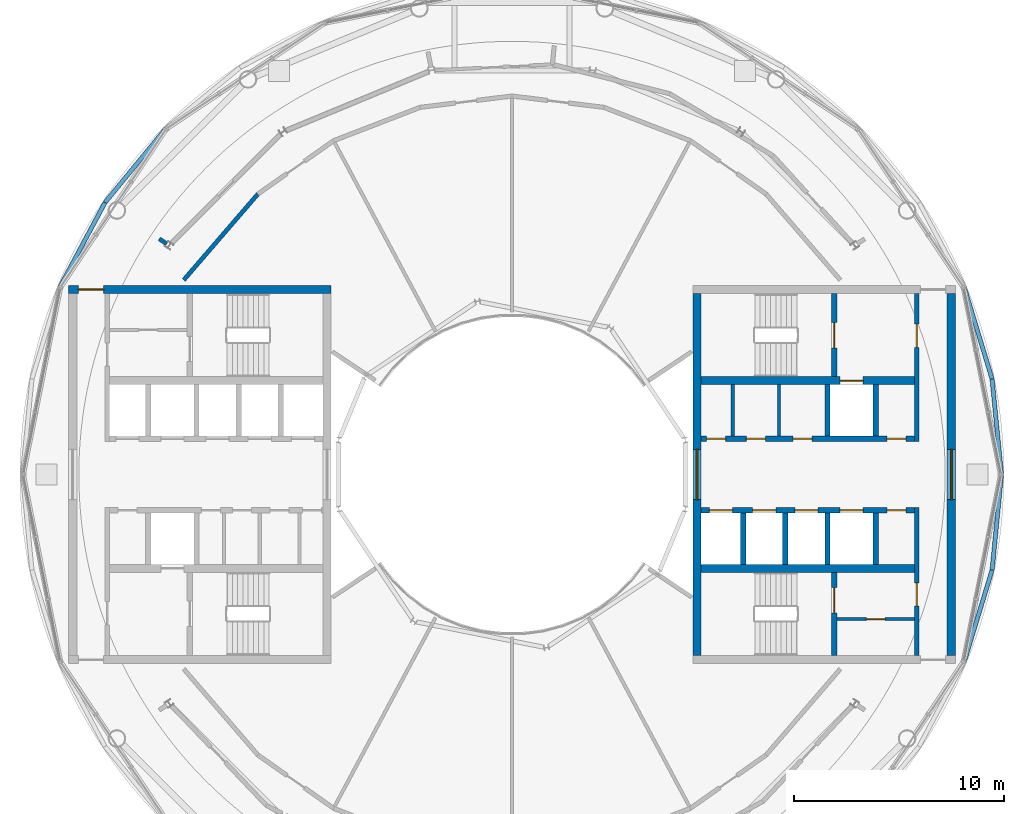
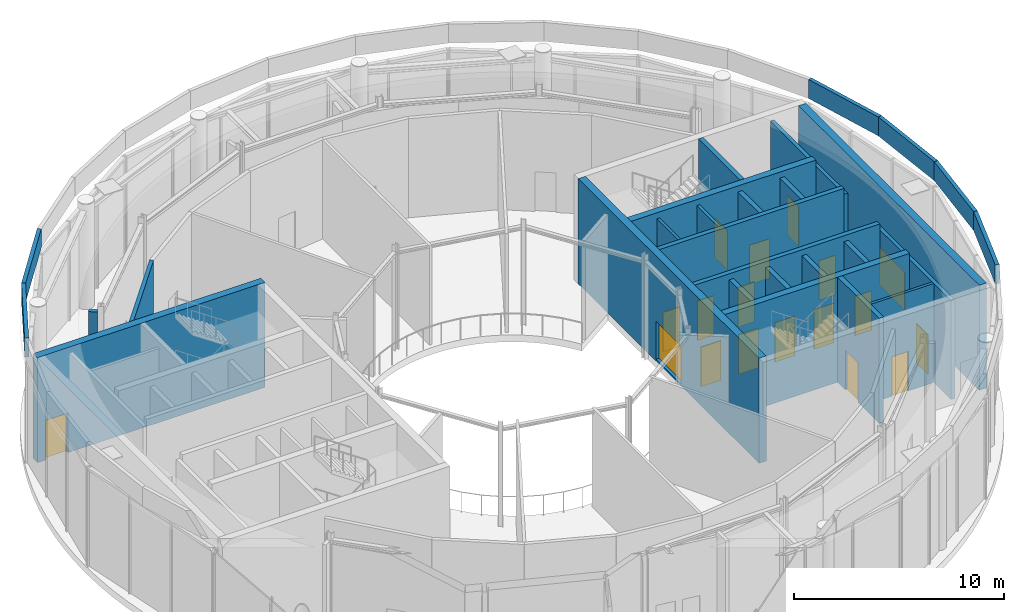
# One storey, part 13 of 20: 28 walls, 16 doors, 2 windows, 18 openings.
"""IFC4 building model written with IfcOpenShell, lengths in metres."""

from ifc_helpers import new_model, si_unit, direction, frame, frame_2d, origin, place, context, subcontext, project, spatial, rectangle, extrude, material, layer, layer_set, type_object, element, fill, save


model = new_model("IFC4")

# Units and contexts
model_context = context("Model", 3, precision=1e-05, world=origin(), true_north=direction((0.0, 1.0)))
body_context = subcontext(model_context, "Body", "Model", "MODEL_VIEW")
ifc_project = project(units=[si_unit("LENGTHUNIT", "METRE"), si_unit("AREAUNIT", "SQUARE_METRE"), si_unit("VOLUMEUNIT", "CUBIC_METRE"), si_unit("PLANEANGLEUNIT", "RADIAN"), si_unit("MASSUNIT", "GRAM", prefix="KILO")], contexts=[model_context])

# Site, building, storey
site_placement = place(None, origin())
site = spatial("IfcSite", under=ifc_project, at=site_placement, CompositionType="ELEMENT")
building_placement = place(site_placement, origin())
building = spatial("IfcBuilding", under=site, at=building_placement, Name="Maasbend Ring Residences", CompositionType="ELEMENT")
storey_placement = place(building_placement, frame((0.0, 0.0, 255.39990234375)))
storey = spatial("IfcBuildingStorey", under=building, at=storey_placement, Name="L74", CompositionType="ELEMENT", Elevation=255.39990234375)

# Wall, openings, doors
ifc_material_1 = material(Name="Concrete C50/60", Category="concrete")
ifc_layer_1 = layer(ifc_material_1, 0.25)
ifc_layer_set_1 = layer_set([ifc_layer_1], Name="Concrete C50/60")
wall_type_1 = type_object("IfcWallType", Name="CORE WALL 250 C50/60", PredefinedType="SHEAR", material=ifc_layer_set_1)
wall_1_placement = place(storey_placement, frame((9.0, 1.699951171875, 0.0), z_axis=(0.0, 0.0, 1.0), x_axis=(1.0, 0.0, 0.0)))
wall_1 = element("IfcWall", 1, at=wall_1_placement, inside=storey, type_object=wall_type_1, Name="L74 core E wall SPN", PredefinedType="SHEAR", context=body_context, shape_type="SweptSolid", body=[
    extrude(rectangle(XDim=10.14990234375, YDim=0.25, at=frame_2d((5.074951171875, 0.0))), origin(), (0.0, 0.0, 1.0), 6.10009765625),
])
opening_1_placement = place(wall_1_placement, frame((0.262451171875, 0.0, 0.0)))
opening_1 = element("IfcOpeningElement", 2, at=opening_1_placement, cuts=wall_1, Name="Opening D-E7406", PredefinedType="OPENING", context=body_context, shape_type="SweptSolid", body=[
    extrude(rectangle(XDim=0.89990234375, YDim=2.300048828125, at=frame_2d((0.449951171875, 1.14990234375))), frame((0.0, 0.135009765625, 0.0), z_axis=(0.0, -1.0, 0.0), x_axis=(1.0, 0.0, 0.0)), (0.0, 0.0, 1.0), 0.27001953125),
])
opening_2_placement = place(wall_1_placement, frame((2.14990234375, 0.0, 0.0)))
opening_2 = element("IfcOpeningElement", 3, at=opening_2_placement, cuts=wall_1, Name="Opening D-E7407", PredefinedType="OPENING", context=body_context, shape_type="SweptSolid", body=[
    extrude(rectangle(XDim=0.89990234375, YDim=2.300048828125, at=frame_2d((0.449951171875, 1.14990234375))), frame((0.0, 0.135009765625, 0.0), z_axis=(0.0, -1.0, 0.0), x_axis=(1.0, 0.0, 0.0)), (0.0, 0.0, 1.0), 0.27001953125),
])
opening_3_placement = place(wall_1_placement, frame((4.375, 0.0, 0.0)))
opening_3 = element("IfcOpeningElement", 4, at=opening_3_placement, cuts=wall_1, Name="Opening D-E7408", PredefinedType="OPENING", context=body_context, shape_type="SweptSolid", body=[
    extrude(rectangle(XDim=0.89990234375, YDim=2.300048828125, at=frame_2d((0.449951171875, 1.14990234375))), frame((0.0, 0.135009765625, 0.0), z_axis=(0.0, -1.0, 0.0), x_axis=(1.0, 0.0, 0.0)), (0.0, 0.0, 1.0), 0.27001953125),
])
opening_4_placement = place(wall_1_placement, frame((8.83740234375, 0.0, 0.0)))
opening_4 = element("IfcOpeningElement", 5, at=opening_4_placement, cuts=wall_1, Name="Opening D-E7409", PredefinedType="OPENING", context=body_context, shape_type="SweptSolid", body=[
    extrude(rectangle(XDim=0.89990234375, YDim=2.300048828125, at=frame_2d((0.449951171875, 1.14990234375))), frame((0.0, 0.135009765625, 0.0), z_axis=(0.0, -1.0, 0.0), x_axis=(1.0, 0.0, 0.0)), (0.0, 0.0, 1.0), 0.27001953125),
])
ifc_material_2 = material(Name="Steel, powder coated", Category="steel")
door_type_1 = type_object("IfcDoorType", Name="ROOM DOOR 900 X 2300 FD30S", OperationType="NOTDEFINED", PredefinedType="DOOR", material=ifc_material_2)
door_1_placement = place(opening_1_placement, origin())
door_1 = element("IfcDoor", 6, at=door_1_placement, inside=storey, type_object=door_type_1, Name="Room door L74", OperationType="SINGLE_SWING_RIGHT", OverallHeight=2.300048828125, OverallWidth=0.89990234375, PredefinedType="DOOR", context=body_context, shape_type="SweptSolid", body=[
    extrude(rectangle(XDim=0.89990234375, YDim=2.300048828125, at=frame_2d((0.449951171875, 1.14990234375))), frame((0.0, 0.02490234375, 0.0), z_axis=(0.0, -1.0, 0.0), x_axis=(1.0, 0.0, 0.0)), (0.0, 0.0, 1.0), 0.050048828125),
])
fill(opening_1, door_1)
door_2_placement = place(opening_2_placement, origin())
door_2 = element("IfcDoor", 7, at=door_2_placement, inside=storey, type_object=door_type_1, Name="Room door L74", OperationType="SINGLE_SWING_RIGHT", OverallHeight=2.300048828125, OverallWidth=0.89990234375, PredefinedType="DOOR", context=body_context, shape_type="SweptSolid", body=[
    extrude(rectangle(XDim=0.89990234375, YDim=2.300048828125, at=frame_2d((0.449951171875, 1.14990234375))), frame((0.0, 0.02490234375, 0.0), z_axis=(0.0, -1.0, 0.0), x_axis=(1.0, 0.0, 0.0)), (0.0, 0.0, 1.0), 0.050048828125),
])
fill(opening_2, door_2)
door_3_placement = place(opening_3_placement, origin())
door_3 = element("IfcDoor", 8, at=door_3_placement, inside=storey, type_object=door_type_1, Name="Room door L74", OperationType="SINGLE_SWING_RIGHT", OverallHeight=2.300048828125, OverallWidth=0.89990234375, PredefinedType="DOOR", context=body_context, shape_type="SweptSolid", body=[
    extrude(rectangle(XDim=0.89990234375, YDim=2.300048828125, at=frame_2d((0.449951171875, 1.14990234375))), frame((0.0, 0.02490234375, 0.0), z_axis=(0.0, -1.0, 0.0), x_axis=(1.0, 0.0, 0.0)), (0.0, 0.0, 1.0), 0.050048828125),
])
fill(opening_3, door_3)
door_4_placement = place(opening_4_placement, origin())
door_4 = element("IfcDoor", 9, at=door_4_placement, inside=storey, type_object=door_type_1, Name="Room door L74", OperationType="SINGLE_SWING_LEFT", OverallHeight=2.300048828125, OverallWidth=0.89990234375, PredefinedType="DOOR", context=body_context, shape_type="SweptSolid", body=[
    extrude(rectangle(XDim=0.89990234375, YDim=2.300048828125, at=frame_2d((0.449951171875, 1.14990234375))), frame((0.0, 0.02490234375, 0.0), z_axis=(0.0, -1.0, 0.0), x_axis=(1.0, 0.0, 0.0)), (0.0, 0.0, 1.0), 0.050048828125),
])
fill(opening_4, door_4)

# Wall, opening, door
wall_2_placement = place(storey_placement, frame((15.324951171875, 4.64990234375, 0.0), z_axis=(0.0, 0.0, 1.0), x_axis=(0.0, 1.0, 0.0)))
wall_2 = element("IfcWall", 10, at=wall_2_placement, inside=storey, type_object=wall_type_1, Name="L74 core E wall STEN", PredefinedType="SHEAR", context=body_context, shape_type="SweptSolid", body=[
    extrude(rectangle(XDim=3.9501953125, YDim=0.25, at=frame_2d((1.97509765625, 0.0))), origin(), (0.0, 0.0, 1.0), 6.10009765625),
])
opening_5_placement = place(wall_2_placement, frame((1.375, 0.0, 0.0)))
opening_5 = element("IfcOpeningElement", 11, at=opening_5_placement, cuts=wall_2, Name="Opening D-E7412", PredefinedType="OPENING", context=body_context, shape_type="SweptSolid", body=[
    extrude(rectangle(XDim=1.199951171875, YDim=2.300048828125, at=frame_2d((0.60009765625, 1.14990234375))), frame((0.0, 0.135009765625, 0.0), z_axis=(0.0, -1.0, 0.0), x_axis=(1.0, 0.0, 0.0)), (0.0, 0.0, 1.0), 0.27001953125),
])
ifc_material_3 = material(Name="Steel, powder coated", Category="steel")
door_type_2 = type_object("IfcDoorType", Name="STAIR DOOR 1200 X 2300 FD60", OperationType="NOTDEFINED", PredefinedType="DOOR", material=ifc_material_3)
door_5_placement = place(opening_5_placement, origin())
door_5 = element("IfcDoor", 12, at=door_5_placement, inside=storey, type_object=door_type_2, Name="Stair door ST-E L74", OperationType="SINGLE_SWING_LEFT", OverallHeight=2.300048828125, OverallWidth=1.199951171875, PredefinedType="DOOR", context=body_context, shape_type="SweptSolid", body=[
    extrude(rectangle(XDim=1.199951171875, YDim=2.300048828125, at=frame_2d((0.60009765625, 1.14990234375))), frame((0.0, 0.02490234375, 0.0), z_axis=(0.0, -1.0, 0.0), x_axis=(1.0, 0.0, 0.0)), (0.0, 0.0, 1.0), 0.050048828125),
])
fill(opening_5, door_5)

# Wall, openings, doors
wall_3_placement = place(storey_placement, frame((19.14990234375, -1.699951171875, 0.0), z_axis=(0.0, 0.0, 1.0), x_axis=(-1.0, 0.0, 0.0)))
wall_3 = element("IfcWall", 13, at=wall_3_placement, inside=storey, type_object=wall_type_1, Name="L74 core E wall SPS", PredefinedType="SHEAR", context=body_context, shape_type="SweptSolid", body=[
    extrude(rectangle(XDim=10.14990234375, YDim=0.25, at=frame_2d((5.074951171875, 0.0))), origin(), (0.0, 0.0, 1.0), 6.10009765625),
])
opening_6_placement = place(wall_3_placement, frame((8.66259765625, 0.0, 0.0)))
opening_6 = element("IfcOpeningElement", 14, at=opening_6_placement, cuts=wall_3, Name="Opening LD-E7402", PredefinedType="OPENING", context=body_context, shape_type="SweptSolid", body=[
    extrude(rectangle(XDim=1.10009765625, YDim=2.300048828125, at=frame_2d((0.550048828125, 1.14990234375))), frame((0.0, 0.135009765625, 0.0), z_axis=(0.0, -1.0, 0.0), x_axis=(1.0, 0.0, 0.0)), (0.0, 0.0, 1.0), 0.27001953125),
])
opening_7_placement = place(wall_3_placement, frame((6.60009765625, 0.0, 0.0)))
opening_7 = element("IfcOpeningElement", 15, at=opening_7_placement, cuts=wall_3, Name="Opening LD-E7403", PredefinedType="OPENING", context=body_context, shape_type="SweptSolid", body=[
    extrude(rectangle(XDim=1.10009765625, YDim=2.300048828125, at=frame_2d((0.550048828125, 1.14990234375))), frame((0.0, 0.135009765625, 0.0), z_axis=(0.0, -1.0, 0.0), x_axis=(1.0, 0.0, 0.0)), (0.0, 0.0, 1.0), 0.27001953125),
])
opening_8_placement = place(wall_3_placement, frame((4.60009765625, 0.0, 0.0)))
opening_8 = element("IfcOpeningElement", 16, at=opening_8_placement, cuts=wall_3, Name="Opening LD-E7404", PredefinedType="OPENING", context=body_context, shape_type="SweptSolid", body=[
    extrude(rectangle(XDim=1.10009765625, YDim=2.300048828125, at=frame_2d((0.550048828125, 1.14990234375))), frame((0.0, 0.135009765625, 0.0), z_axis=(0.0, -1.0, 0.0), x_axis=(1.0, 0.0, 0.0)), (0.0, 0.0, 1.0), 0.27001953125),
])
opening_9_placement = place(wall_3_placement, frame((2.449951171875, 0.0, 0.0)))
opening_9 = element("IfcOpeningElement", 17, at=opening_9_placement, cuts=wall_3, Name="Opening LD-E7405", PredefinedType="OPENING", context=body_context, shape_type="SweptSolid", body=[
    extrude(rectangle(XDim=1.10009765625, YDim=2.300048828125, at=frame_2d((0.550048828125, 1.14990234375))), frame((0.0, 0.135009765625, 0.0), z_axis=(0.0, -1.0, 0.0), x_axis=(1.0, 0.0, 0.0)), (0.0, 0.0, 1.0), 0.27001953125),
])
opening_10_placement = place(wall_3_placement, frame((0.41259765625, 0.0, 0.0)))
opening_10 = element("IfcOpeningElement", 18, at=opening_10_placement, cuts=wall_3, Name="Opening D-E7410", PredefinedType="OPENING", context=body_context, shape_type="SweptSolid", body=[
    extrude(rectangle(XDim=0.89990234375, YDim=2.300048828125, at=frame_2d((0.449951171875, 1.14990234375))), frame((0.0, 0.135009765625, 0.0), z_axis=(0.0, -1.0, 0.0), x_axis=(1.0, 0.0, 0.0)), (0.0, 0.0, 1.0), 0.27001953125),
])
ifc_material_4 = material(Name="Stainless steel 316", Category="steel")
door_type_3 = type_object("IfcDoorType", Name="LANDING DOOR 1100 X 2300 FD60", OperationType="DOUBLE_DOOR_SLIDING", PredefinedType="DOOR", material=ifc_material_4)
door_6_placement = place(opening_6_placement, origin())
door_6 = element("IfcDoor", 19, at=door_6_placement, inside=storey, type_object=door_type_3, Name="Landing door HR-E1 L74", OperationType="DOUBLE_DOOR_SLIDING", OverallHeight=2.300048828125, OverallWidth=1.10009765625, PredefinedType="DOOR", context=body_context, shape_type="SweptSolid", body=[
    extrude(rectangle(XDim=1.10009765625, YDim=2.300048828125, at=frame_2d((0.550048828125, 1.14990234375))), frame((0.0, 0.02490234375, 0.0), z_axis=(0.0, -1.0, 0.0), x_axis=(1.0, 0.0, 0.0)), (0.0, 0.0, 1.0), 0.050048828125),
])
fill(opening_6, door_6)
door_7_placement = place(opening_7_placement, origin())
door_7 = element("IfcDoor", 20, at=door_7_placement, inside=storey, type_object=door_type_3, Name="Landing door HR-E2 L74", OperationType="DOUBLE_DOOR_SLIDING", OverallHeight=2.300048828125, OverallWidth=1.10009765625, PredefinedType="DOOR", context=body_context, shape_type="SweptSolid", body=[
    extrude(rectangle(XDim=1.10009765625, YDim=2.300048828125, at=frame_2d((0.550048828125, 1.14990234375))), frame((0.0, 0.02490234375, 0.0), z_axis=(0.0, -1.0, 0.0), x_axis=(1.0, 0.0, 0.0)), (0.0, 0.0, 1.0), 0.050048828125),
])
fill(opening_7, door_7)
door_8_placement = place(opening_8_placement, origin())
door_8 = element("IfcDoor", 21, at=door_8_placement, inside=storey, type_object=door_type_3, Name="Landing door HR-E3 L74", OperationType="DOUBLE_DOOR_SLIDING", OverallHeight=2.300048828125, OverallWidth=1.10009765625, PredefinedType="DOOR", context=body_context, shape_type="SweptSolid", body=[
    extrude(rectangle(XDim=1.10009765625, YDim=2.300048828125, at=frame_2d((0.550048828125, 1.14990234375))), frame((0.0, 0.02490234375, 0.0), z_axis=(0.0, -1.0, 0.0), x_axis=(1.0, 0.0, 0.0)), (0.0, 0.0, 1.0), 0.050048828125),
])
fill(opening_8, door_8)
door_9_placement = place(opening_9_placement, origin())
door_9 = element("IfcDoor", 22, at=door_9_placement, inside=storey, type_object=door_type_3, Name="Landing door SV-E L74", OperationType="DOUBLE_DOOR_SLIDING", OverallHeight=2.300048828125, OverallWidth=1.10009765625, PredefinedType="DOOR", context=body_context, shape_type="SweptSolid", body=[
    extrude(rectangle(XDim=1.10009765625, YDim=2.300048828125, at=frame_2d((0.550048828125, 1.14990234375))), frame((0.0, 0.02490234375, 0.0), z_axis=(0.0, -1.0, 0.0), x_axis=(1.0, 0.0, 0.0)), (0.0, 0.0, 1.0), 0.050048828125),
])
fill(opening_9, door_9)
door_10_placement = place(opening_10_placement, origin())
door_10 = element("IfcDoor", 23, at=door_10_placement, inside=storey, type_object=door_type_1, Name="Room door L74", OperationType="SINGLE_SWING_RIGHT", OverallHeight=2.300048828125, OverallWidth=0.89990234375, PredefinedType="DOOR", context=body_context, shape_type="SweptSolid", body=[
    extrude(rectangle(XDim=0.89990234375, YDim=2.300048828125, at=frame_2d((0.449951171875, 1.14990234375))), frame((0.0, 0.02490234375, 0.0), z_axis=(0.0, -1.0, 0.0), x_axis=(1.0, 0.0, 0.0)), (0.0, 0.0, 1.0), 0.050048828125),
])
fill(opening_10, door_10)

# Wall, opening, door
wall_4_placement = place(storey_placement, frame((15.324951171875, -8.60009765625, 0.0), z_axis=(0.0, 0.0, 1.0), x_axis=(0.0, 1.0, 0.0)))
wall_4 = element("IfcWall", 24, at=wall_4_placement, inside=storey, type_object=wall_type_1, Name="L74 core E wall STES", PredefinedType="SHEAR", context=body_context, shape_type="SweptSolid", body=[
    extrude(rectangle(XDim=3.9501953125, YDim=0.25, at=frame_2d((1.97509765625, 0.0))), origin(), (0.0, 0.0, 1.0), 6.10009765625),
])
opening_11_placement = place(wall_4_placement, frame((2.02490234375, 0.0, 0.0)))
opening_11 = element("IfcOpeningElement", 25, at=opening_11_placement, cuts=wall_4, Name="Opening D-E7413", PredefinedType="OPENING", context=body_context, shape_type="SweptSolid", body=[
    extrude(rectangle(XDim=1.199951171875, YDim=2.300048828125, at=frame_2d((0.60009765625, 1.14990234375))), frame((0.0, 0.135009765625, 0.0), z_axis=(0.0, -1.0, 0.0), x_axis=(1.0, 0.0, 0.0)), (0.0, 0.0, 1.0), 0.27001953125),
])
door_11_placement = place(opening_11_placement, origin())
door_11 = element("IfcDoor", 26, at=door_11_placement, inside=storey, type_object=door_type_2, Name="Stair door ST-E L74", OperationType="SINGLE_SWING_LEFT", OverallHeight=2.300048828125, OverallWidth=1.199951171875, PredefinedType="DOOR", context=body_context, shape_type="SweptSolid", body=[
    extrude(rectangle(XDim=1.199951171875, YDim=2.300048828125, at=frame_2d((0.60009765625, 1.14990234375))), frame((0.0, 0.02490234375, 0.0), z_axis=(0.0, -1.0, 0.0), x_axis=(1.0, 0.0, 0.0)), (0.0, 0.0, 1.0), 0.050048828125),
])
fill(opening_11, door_11)

ifc_material_5 = material(Name="Concrete C50/60", Category="concrete")
ifc_layer_2 = layer(ifc_material_5, 0.375)
ifc_layer_set_2 = layer_set([ifc_layer_2], Name="Concrete C50/60")
wall_type_2 = type_object("IfcWallType", Name="CORE WALL 375 C50/60", PredefinedType="SHEAR", material=ifc_layer_set_2)
wall_5_placement = place(storey_placement, frame((9.0, 4.46240234375, 0.0), z_axis=(0.0, 0.0, 1.0), x_axis=(1.0, 0.0, 0.0)))
wall_5 = element("IfcWall", 27, at=wall_5_placement, inside=storey, type_object=wall_type_2, Name="L74 core E wall BN", PredefinedType="SHEAR", context=body_context, shape_type="SweptSolid", body=[
    extrude(rectangle(XDim=10.14990234375, YDim=0.375, at=frame_2d((5.074951171875, 0.0))), origin(), (0.0, 0.0, 1.0), 6.10009765625),
])
opening_12_placement = place(wall_5_placement, frame((6.60009765625, 0.0, 0.0)))
opening_12 = element("IfcOpeningElement", 28, at=opening_12_placement, cuts=wall_5, Name="Opening LD-E7401", PredefinedType="OPENING", context=body_context, shape_type="SweptSolid", body=[
    extrude(rectangle(XDim=1.10009765625, YDim=2.300048828125, at=frame_2d((0.550048828125, 1.14990234375))), frame((0.0, 0.197509765625, 0.0), z_axis=(0.0, -1.0, 0.0), x_axis=(1.0, 0.0, 0.0)), (0.0, 0.0, 1.0), 0.39501953125),
])
door_12_placement = place(opening_12_placement, origin())
door_12 = element("IfcDoor", 29, at=door_12_placement, inside=storey, type_object=door_type_3, Name="Landing door FF-E L74", OperationType="DOUBLE_DOOR_SLIDING", OverallHeight=2.300048828125, OverallWidth=1.10009765625, PredefinedType="DOOR", context=body_context, shape_type="SweptSolid", body=[
    extrude(rectangle(XDim=1.10009765625, YDim=2.300048828125, at=frame_2d((0.550048828125, 1.14990234375))), frame((0.0, 0.02490234375, 0.0), z_axis=(0.0, -1.0, 0.0), x_axis=(1.0, 0.0, 0.0)), (0.0, 0.0, 1.0), 0.050048828125),
])
fill(opening_12, door_12)

# Wall
wall_6_placement = place(storey_placement, frame((9.0, -4.46240234375, 0.0), z_axis=(0.0, 0.0, 1.0), x_axis=(1.0, 0.0, 0.0)))
element("IfcWall", 30, at=wall_6_placement, inside=storey, type_object=wall_type_2, Name="L74 core E wall BS", PredefinedType="SHEAR", context=body_context, shape_type="SweptSolid", body=[
    extrude(rectangle(XDim=10.14990234375, YDim=0.375, at=frame_2d((5.074951171875, 0.0))), origin(), (0.0, 0.0, 1.0), 6.10009765625),
])

# Wall, opening, window
ifc_material_6 = material(Name="Concrete C50/60", Category="concrete")
ifc_layer_3 = layer(ifc_material_6, 0.39990234375)
ifc_layer_set_3 = layer_set([ifc_layer_3], Name="Concrete C50/60")
wall_type_3 = type_object("IfcWallType", Name="CORE WALL 400 C50/60", PredefinedType="SHEAR", material=ifc_layer_set_3)
wall_7_placement = place(storey_placement, frame((20.89990234375, -8.60009765625, 0.0), z_axis=(0.0, 0.0, 1.0), x_axis=(0.0, 1.0, 0.0)))
wall_7 = element("IfcWall", 31, at=wall_7_placement, inside=storey, type_object=wall_type_3, Name="L74 core E wall POUT", PredefinedType="SHEAR", context=body_context, shape_type="SweptSolid", body=[
    extrude(rectangle(XDim=17.2001953125, YDim=0.39990234375, at=frame_2d((8.60009765625, 0.0))), origin(), (0.0, 0.0, 1.0), 6.10009765625),
])
opening_13_placement = place(wall_7_placement, frame((7.39990234375, 0.0, 0.10009765625)))
opening_13 = element("IfcOpeningElement", 32, at=opening_13_placement, cuts=wall_7, Name="Opening W-E7402", PredefinedType="OPENING", context=body_context, shape_type="SweptSolid", body=[
    extrude(rectangle(XDim=2.39990234375, YDim=2.199951171875, at=frame_2d((1.199951171875, 1.10009765625))), frame((0.0, 0.2099609375, 0.0), z_axis=(0.0, -1.0, 0.0), x_axis=(1.0, 0.0, 0.0)), (0.0, 0.0, 1.0), 0.419921875),
])
ifc_material_7 = material(Name="Aluminium frame and clear glass", Category="aluminium")
window_type = type_object("IfcWindowType", Name="FIXED WINDOW 2400 X 2200", PartitioningType="SINGLE_PANEL", PredefinedType="WINDOW", material=ifc_material_7)
window_1_placement = place(opening_13_placement, origin())
window_1 = element("IfcWindow", 33, at=window_1_placement, inside=storey, type_object=window_type, Name="Lobby window L74", OverallHeight=2.199951171875, OverallWidth=2.39990234375, PartitioningType="SINGLE_PANEL", PredefinedType="WINDOW", context=body_context, shape_type="SweptSolid", body=[
    extrude(rectangle(XDim=2.39990234375, YDim=2.199951171875, at=frame_2d((1.199951171875, 1.10009765625))), frame((0.0, 0.030029296875, 0.0), z_axis=(0.0, -1.0, 0.0), x_axis=(1.0, 0.0, 0.0)), (0.0, 0.0, 1.0), 0.06005859375),
])
fill(opening_13, window_1)

wall_8_placement = place(storey_placement, frame((8.800048828125, -8.60009765625, 0.0), z_axis=(0.0, 0.0, 1.0), x_axis=(0.0, 1.0, 0.0)))
wall_8 = element("IfcWall", 34, at=wall_8_placement, inside=storey, type_object=wall_type_3, Name="L74 core E wall PIN", PredefinedType="SHEAR", context=body_context, shape_type="SweptSolid", body=[
    extrude(rectangle(XDim=17.2001953125, YDim=0.39990234375, at=frame_2d((8.60009765625, 0.0))), origin(), (0.0, 0.0, 1.0), 6.10009765625),
])
opening_14_placement = place(wall_8_placement, frame((7.39990234375, 0.0, 0.10009765625)))
opening_14 = element("IfcOpeningElement", 35, at=opening_14_placement, cuts=wall_8, Name="Opening W-E7401", PredefinedType="OPENING", context=body_context, shape_type="SweptSolid", body=[
    extrude(rectangle(XDim=2.39990234375, YDim=2.199951171875, at=frame_2d((1.199951171875, 1.10009765625))), frame((0.0, 0.2099609375, 0.0), z_axis=(0.0, -1.0, 0.0), x_axis=(1.0, 0.0, 0.0)), (0.0, 0.0, 1.0), 0.419921875),
])
window_2_placement = place(opening_14_placement, origin())
window_2 = element("IfcWindow", 36, at=window_2_placement, inside=storey, type_object=window_type, Name="Lobby window L74", OverallHeight=2.199951171875, OverallWidth=2.39990234375, PartitioningType="SINGLE_PANEL", PredefinedType="WINDOW", context=body_context, shape_type="SweptSolid", body=[
    extrude(rectangle(XDim=2.39990234375, YDim=2.199951171875, at=frame_2d((1.199951171875, 1.10009765625))), frame((0.0, 0.030029296875, 0.0), z_axis=(0.0, -1.0, 0.0), x_axis=(1.0, 0.0, 0.0)), (0.0, 0.0, 1.0), 0.06005859375),
])
fill(opening_14, window_2)

# Wall, opening, door
wall_9_placement = place(storey_placement, frame((-8.60009765625, 8.800048828125, 0.0), z_axis=(0.0, 0.0, 1.0), x_axis=(-1.0, 0.0, 0.0)))
wall_9 = element("IfcWall", 37, at=wall_9_placement, inside=storey, type_object=wall_type_3, Name="L74 core W wall PS", PredefinedType="SHEAR", context=body_context, shape_type="SweptSolid", body=[
    extrude(rectangle(XDim=12.5, YDim=0.39990234375, at=frame_2d((6.25, 0.0))), origin(), (0.0, 0.0, 1.0), 6.10009765625),
])
opening_15_placement = place(wall_9_placement, frame((10.824951171875, 0.0, 0.0)))
opening_15 = element("IfcOpeningElement", 38, at=opening_15_placement, cuts=wall_9, Name="Opening D-W7418", PredefinedType="OPENING", context=body_context, shape_type="SweptSolid", body=[
    extrude(rectangle(XDim=1.199951171875, YDim=2.300048828125, at=frame_2d((0.60009765625, 1.14990234375))), frame((0.0, 0.2099609375, 0.0), z_axis=(0.0, -1.0, 0.0), x_axis=(1.0, 0.0, 0.0)), (0.0, 0.0, 1.0), 0.419921875),
])
ifc_material_8 = material(Name="Steel, powder coated", Category="steel")
door_type_4 = type_object("IfcDoorType", Name="CORRIDOR DOOR 1200 X 2300 FD30S", OperationType="NOTDEFINED", PredefinedType="DOOR", material=ifc_material_8)
door_13_placement = place(opening_15_placement, origin())
door_13 = element("IfcDoor", 39, at=door_13_placement, inside=storey, type_object=door_type_4, Name="Corridor door L74", OperationType="SINGLE_SWING_LEFT", OverallHeight=2.300048828125, OverallWidth=1.199951171875, PredefinedType="DOOR", context=body_context, shape_type="SweptSolid", body=[
    extrude(rectangle(XDim=1.199951171875, YDim=2.300048828125, at=frame_2d((0.60009765625, 1.14990234375))), frame((0.0, 0.02490234375, 0.0), z_axis=(0.0, -1.0, 0.0), x_axis=(1.0, 0.0, 0.0)), (0.0, 0.0, 1.0), 0.050048828125),
])
fill(opening_15, door_13)

# Walls
ifc_material_9 = material(Name="Concrete C30/37", Category="concrete")
ifc_layer_4 = layer(ifc_material_9, 0.199951171875)
ifc_layer_set_4 = layer_set([ifc_layer_4], Name="Concrete C30/37")
wall_type_4 = type_object("IfcWallType", Name="CORRIDOR WALL 200 CONCRETE", PredefinedType="PARTITIONING", material=ifc_layer_set_4)
wall_10_placement = place(storey_placement, frame((-16.777099609375, 11.20703125, 0.0), z_axis=(0.0, 0.0, 1.0), x_axis=(0.831962011971, -0.554832596949, 0.0)))
element("IfcWall", 40, at=wall_10_placement, inside=storey, type_object=wall_type_4, Name="U-L74-w019", PredefinedType="PARTITIONING", context=body_context, shape_type="SweptSolid", body=[
    extrude(rectangle(XDim=0.425537109375, YDim=0.199951171875, at=frame_2d((0.212890625, 0.0))), origin(), (0.0, 0.0, 1.0), 5.75),
])
wall_11_placement = place(storey_placement, frame((-15.613037109375, 9.25, 0.0), z_axis=(0.0, 0.0, 1.0), x_axis=(0.653146301984, 0.757231740093, 0.0)))
element("IfcWall", 41, at=wall_11_placement, inside=storey, type_object=wall_type_4, Name="U-L74-w034", PredefinedType="PARTITIONING", context=body_context, shape_type="SweptSolid", body=[
    extrude(rectangle(XDim=5.397216796875, YDim=0.199951171875, at=frame_2d((2.69873046875, 0.0))), origin(), (0.0, 0.0, 1.0), 5.75),
])
ifc_material_10 = material(Name="Gypsum board on steel studs", Category="steel")
ifc_layer_5 = layer(ifc_material_10, 0.14990234375)
ifc_layer_set_5 = layer_set([ifc_layer_5], Name="PARTITION 150 EI 60")
wall_type_5 = type_object("IfcWallType", Name="PARTITION 150 EI 60", PredefinedType="PARTITIONING", material=ifc_layer_set_5)
for number, where, z_axis, x_axis, name in (
    (42, (10.5, 1.824951171875, 0.0), (0.0, 0.0, 1.0), (0.0, 1.0, 0.0), "L74 core E wall PRN1050"),
    (43, (12.699951171875, 1.824951171875, 0.0), (0.0, 0.0, 1.0), (0.0, 1.0, 0.0), "L74 core E wall PRN1270"),
):
    element("IfcWall", number, at=place(storey_placement, frame(where, z_axis=z_axis, x_axis=x_axis)), inside=storey, type_object=wall_type_5, Name=name, PredefinedType="PARTITIONING", context=body_context, shape_type="SweptSolid", body=[
        extrude(rectangle(XDim=2.449951171875, YDim=0.14990234375, at=frame_2d((1.22509765625, 0.0))), origin(), (0.0, 0.0, 1.0), 5.75),
    ])

# Wall, opening, door
wall_12_placement = place(storey_placement, frame((15.449951171875, -6.875, 0.0), z_axis=(0.0, 0.0, 1.0), x_axis=(1.0, 0.0, 0.0)))
wall_12 = element("IfcWall", 44, at=wall_12_placement, inside=storey, type_object=wall_type_5, Name="L74 core E wall RHS", PredefinedType="PARTITIONING", context=body_context, shape_type="SweptSolid", body=[
    extrude(rectangle(XDim=3.699951171875, YDim=0.14990234375, at=frame_2d((1.85009765625, 0.0))), origin(), (0.0, 0.0, 1.0), 5.75),
])
opening_16_placement = place(wall_12_placement, frame((1.39990234375, 0.0, 0.0)))
opening_16 = element("IfcOpeningElement", 45, at=opening_16_placement, cuts=wall_12, Name="Opening D-E7411", PredefinedType="OPENING", context=body_context, shape_type="SweptSolid", body=[
    extrude(rectangle(XDim=0.89990234375, YDim=2.300048828125, at=frame_2d((0.449951171875, 1.14990234375))), frame((0.0, 0.0849609375, 0.0), z_axis=(0.0, -1.0, 0.0), x_axis=(1.0, 0.0, 0.0)), (0.0, 0.0, 1.0), 0.169921875),
])
ifc_material_11 = material(Name="Steel, powder coated", Category="steel")
door_type_5 = type_object("IfcDoorType", Name="RISER DOOR 900 X 2300 FD60", OperationType="NOTDEFINED", PredefinedType="DOOR", material=ifc_material_11)
door_14_placement = place(opening_16_placement, origin())
door_14 = element("IfcDoor", 46, at=door_14_placement, inside=storey, type_object=door_type_5, Name="Riser door L74", OperationType="SINGLE_SWING_LEFT", OverallHeight=2.300048828125, OverallWidth=0.89990234375, PredefinedType="DOOR", context=body_context, shape_type="SweptSolid", body=[
    extrude(rectangle(XDim=0.89990234375, YDim=2.300048828125, at=frame_2d((0.449951171875, 1.14990234375))), frame((0.0, 0.02490234375, 0.0), z_axis=(0.0, -1.0, 0.0), x_axis=(1.0, 0.0, 0.0)), (0.0, 0.0, 1.0), 0.050048828125),
])
fill(opening_16, door_14)

ifc_material_12 = material(Name="Concrete C30/37", Category="concrete")
ifc_layer_6 = layer(ifc_material_12, 0.199951171875)
ifc_layer_set_6 = layer_set([ifc_layer_6], Name="Concrete C30/37")
wall_type_6 = type_object("IfcWallType", Name="SHAFT WALL 200 EI 120", PredefinedType="SOLIDWALL", material=ifc_layer_set_6)
wall_13_placement = place(storey_placement, frame((19.25, 1.574951171875, 0.0), z_axis=(0.0, 0.0, 1.0), x_axis=(0.0, 1.0, 0.0)))
wall_13 = element("IfcWall", 47, at=wall_13_placement, inside=storey, type_object=wall_type_6, Name="L74 core E wall ENDN", PredefinedType="SOLIDWALL", context=body_context, shape_type="SweptSolid", body=[
    extrude(rectangle(XDim=7.025146484375, YDim=0.199951171875, at=frame_2d((3.5126953125, 0.0))), origin(), (0.0, 0.0, 1.0), 5.75),
])
opening_17_placement = place(wall_13_placement, frame((4.47509765625, 0.0, 0.0)))
opening_17 = element("IfcOpeningElement", 48, at=opening_17_placement, cuts=wall_13, Name="Opening D-E7414", PredefinedType="OPENING", context=body_context, shape_type="SweptSolid", body=[
    extrude(rectangle(XDim=1.10009765625, YDim=2.300048828125, at=frame_2d((0.550048828125, 1.14990234375))), frame((0.0, 0.10986328125, 0.0), z_axis=(0.0, -1.0, 0.0), x_axis=(1.0, 0.0, 0.0)), (0.0, 0.0, 1.0), 0.219970703125),
])
ifc_material_13 = material(Name="Steel, powder coated", Category="steel")
door_type_6 = type_object("IfcDoorType", Name="LOBBY DOOR 1100 X 2300 FD60", OperationType="NOTDEFINED", PredefinedType="DOOR", material=ifc_material_13)
door_15_placement = place(opening_17_placement, origin())
door_15 = element("IfcDoor", 49, at=door_15_placement, inside=storey, type_object=door_type_6, Name="Lobby door L74", OperationType="SINGLE_SWING_LEFT", OverallHeight=2.300048828125, OverallWidth=1.10009765625, PredefinedType="DOOR", context=body_context, shape_type="SweptSolid", body=[
    extrude(rectangle(XDim=1.10009765625, YDim=2.300048828125, at=frame_2d((0.550048828125, 1.14990234375))), frame((0.0, 0.02490234375, 0.0), z_axis=(0.0, -1.0, 0.0), x_axis=(1.0, 0.0, 0.0)), (0.0, 0.0, 1.0), 0.050048828125),
])
fill(opening_17, door_15)

wall_14_placement = place(storey_placement, frame((19.25, -8.60009765625, 0.0), z_axis=(0.0, 0.0, 1.0), x_axis=(0.0, 1.0, 0.0)))
wall_14 = element("IfcWall", 50, at=wall_14_placement, inside=storey, type_object=wall_type_6, Name="L74 core E wall ENDS", PredefinedType="SOLIDWALL", context=body_context, shape_type="SweptSolid", body=[
    extrude(rectangle(XDim=7.025146484375, YDim=0.199951171875, at=frame_2d((3.5126953125, 0.0))), origin(), (0.0, 0.0, 1.0), 5.75),
])
opening_18_placement = place(wall_14_placement, frame((2.35009765625, 0.0, 0.0)))
opening_18 = element("IfcOpeningElement", 51, at=opening_18_placement, cuts=wall_14, Name="Opening D-E7415", PredefinedType="OPENING", context=body_context, shape_type="SweptSolid", body=[
    extrude(rectangle(XDim=1.10009765625, YDim=2.300048828125, at=frame_2d((0.550048828125, 1.14990234375))), frame((0.0, 0.10986328125, 0.0), z_axis=(0.0, -1.0, 0.0), x_axis=(1.0, 0.0, 0.0)), (0.0, 0.0, 1.0), 0.219970703125),
])
door_16_placement = place(opening_18_placement, origin())
door_16 = element("IfcDoor", 52, at=door_16_placement, inside=storey, type_object=door_type_6, Name="Lobby door L74", OperationType="SINGLE_SWING_RIGHT", OverallHeight=2.300048828125, OverallWidth=1.10009765625, PredefinedType="DOOR", context=body_context, shape_type="SweptSolid", body=[
    extrude(rectangle(XDim=1.10009765625, YDim=2.300048828125, at=frame_2d((0.550048828125, 1.14990234375))), frame((0.0, 0.02490234375, 0.0), z_axis=(0.0, -1.0, 0.0), x_axis=(1.0, 0.0, 0.0)), (0.0, 0.0, 1.0), 0.050048828125),
])
fill(opening_18, door_16)

# Walls
ifc_material_14 = material(Name="Concrete C30/37", Category="concrete")
ifc_layer_7 = layer(ifc_material_14, 0.25)
ifc_layer_set_7 = layer_set([ifc_layer_7], Name="Concrete C30/37")
wall_type_7 = type_object("IfcWallType", Name="SHAFT WALL 250 EI 120", PredefinedType="SOLIDWALL", material=ifc_layer_set_7)
for number, where, z_axis, x_axis, name in (
    (53, (15.0, 1.824951171875, 0.0), (0.0, 0.0, 1.0), (0.0, 1.0, 0.0), "L74 core E wall D150N"),
    (54, (17.300048828125, 1.824951171875, 0.0), (0.0, 0.0, 1.0), (0.0, 1.0, 0.0), "L74 core E wall D173N"),
    (55, (15.0, -1.824951171875, 0.0), (0.0, 0.0, 1.0), (0.0, -1.0, 0.0), "L74 core E wall D150S"),
    (56, (17.300048828125, -1.824951171875, 0.0), (0.0, 0.0, 1.0), (0.0, -1.0, 0.0), "L74 core E wall D173S"),
    (57, (11.0, -1.824951171875, 0.0), (0.0, 0.0, 1.0), (0.0, -1.0, 0.0), "L74 core E wall D110S"),
    (58, (13.0, -1.824951171875, 0.0), (0.0, 0.0, 1.0), (0.0, -1.0, 0.0), "L74 core E wall D130S"),
):
    element("IfcWall", number, at=place(storey_placement, frame(where, z_axis=z_axis, x_axis=x_axis)), inside=storey, type_object=wall_type_7, Name=name, PredefinedType="SOLIDWALL", context=body_context, shape_type="SweptSolid", body=[
        extrude(rectangle(XDim=2.449951171875, YDim=0.25, at=frame_2d((1.22509765625, 0.0))), origin(), (0.0, 0.0, 1.0), 5.75),
    ])
ifc_material_15 = material(Name="Pale anodised aluminium panel", Category="aluminium")
ifc_layer_8 = layer(ifc_material_15, 0.199951171875)
ifc_layer_set_8 = layer_set([ifc_layer_8], Name="WALL-PARAPET")
wall_type_8 = type_object("IfcWallType", Name="WALL-PARAPET", PredefinedType="PARAPET", material=ifc_layer_set_8)
wall_15_placement = place(storey_placement, frame((23.280029296875, 0.0, 6.10009765625), z_axis=(0.0, 0.0, 1.0), x_axis=(-0.097946461831, 0.995191685363, 0.0)))
element("IfcWall", 59, at=wall_15_placement, inside=storey, type_object=wall_type_8, Name="Roof parapet 1", PredefinedType="PARAPET", context=body_context, shape_type="SweptSolid", body=[
    extrude(rectangle(XDim=4.56396484375, YDim=0.199951171875, at=frame_2d((2.281982421875, 0.0))), origin(), (0.0, 0.0, 1.0), 1.10009765625),
])
for number, where, z_axis, x_axis, name in (
    (60, (22.8330078125, 4.5419921875, 6.10009765625), (0.0, 0.0, 1.0), (-0.29033552242, 0.956924910545, 0.0), "Roof parapet 2"),
    (61, (-16.4609375, 16.4609375, 6.10009765625), (0.0, 0.0, 1.0), (-0.6346002271, -0.772840573317, 0.0), "Roof parapet 13"),
):
    element("IfcWall", number, at=place(storey_placement, frame(where, z_axis=z_axis, x_axis=x_axis)), inside=storey, type_object=wall_type_8, Name=name, PredefinedType="PARAPET", context=body_context, shape_type="SweptSolid", body=[
        extrude(rectangle(XDim=4.5634765625, YDim=0.199951171875, at=frame_2d((2.28173828125, 0.0))), origin(), (0.0, 0.0, 1.0), 1.10009765625),
    ])
wall_16_placement = place(storey_placement, frame((-19.35693359375, 12.93408203125, 6.10009765625), z_axis=(0.0, 0.0, 1.0), x_axis=(-0.471334945511, -0.881954289711, 0.0)))
element("IfcWall", 62, at=wall_16_placement, inside=storey, type_object=wall_type_8, Name="Roof parapet 14", PredefinedType="PARAPET", context=body_context, shape_type="SweptSolid", body=[
    extrude(rectangle(XDim=4.56396484375, YDim=0.199951171875, at=frame_2d((2.281982421875, 0.0))), origin(), (0.0, 0.0, 1.0), 1.10009765625),
])
wall_17_placement = place(storey_placement, frame((21.508056640625, -8.908935546875, 6.10009765625), z_axis=(0.0, 0.0, 1.0), x_axis=(0.29033552242, 0.956924910545, 0.0)))
element("IfcWall", 63, at=wall_17_placement, inside=storey, type_object=wall_type_8, Name="Roof parapet 31", PredefinedType="PARAPET", context=body_context, shape_type="SweptSolid", body=[
    extrude(rectangle(XDim=4.5634765625, YDim=0.199951171875, at=frame_2d((2.28173828125, 0.0))), origin(), (0.0, 0.0, 1.0), 1.10009765625),
])
wall_18_placement = place(storey_placement, frame((22.8330078125, -4.5419921875, 6.10009765625), z_axis=(0.0, 0.0, 1.0), x_axis=(0.097946461831, 0.995191685363, 0.0)))
element("IfcWall", 64, at=wall_18_placement, inside=storey, type_object=wall_type_8, Name="Roof parapet 32", PredefinedType="PARAPET", context=body_context, shape_type="SweptSolid", body=[
    extrude(rectangle(XDim=4.56396484375, YDim=0.199951171875, at=frame_2d((2.281982421875, 0.0))), origin(), (0.0, 0.0, 1.0), 1.10009765625),
])

save(model, "model.ifc")
